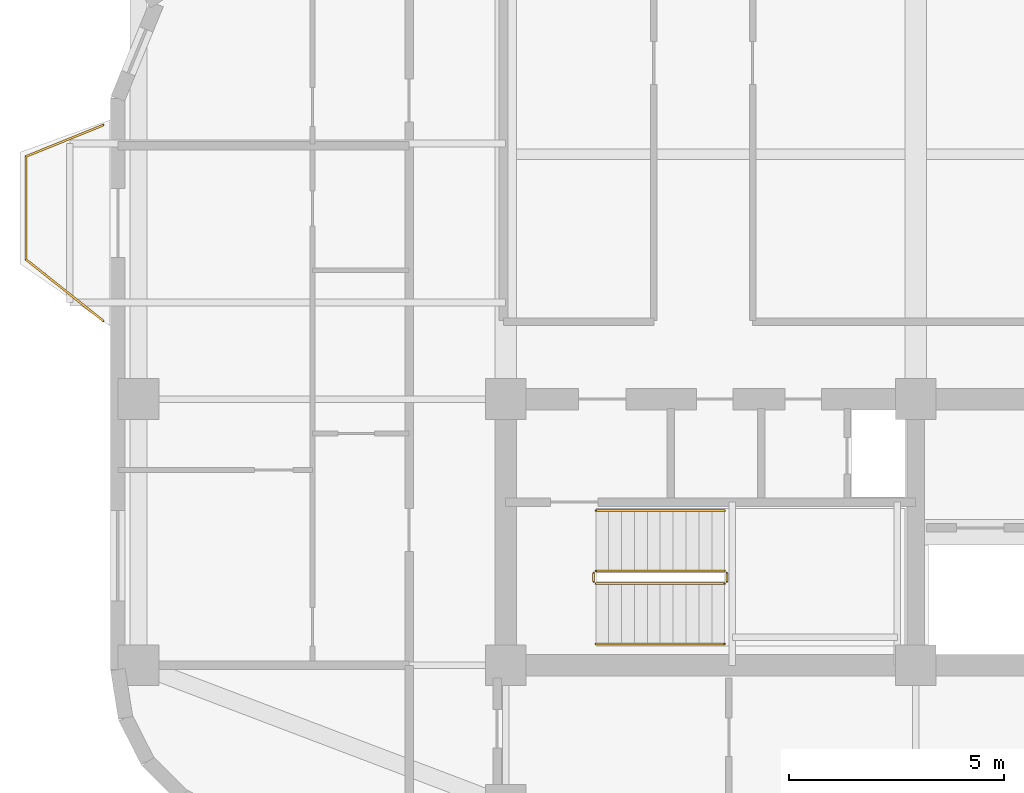
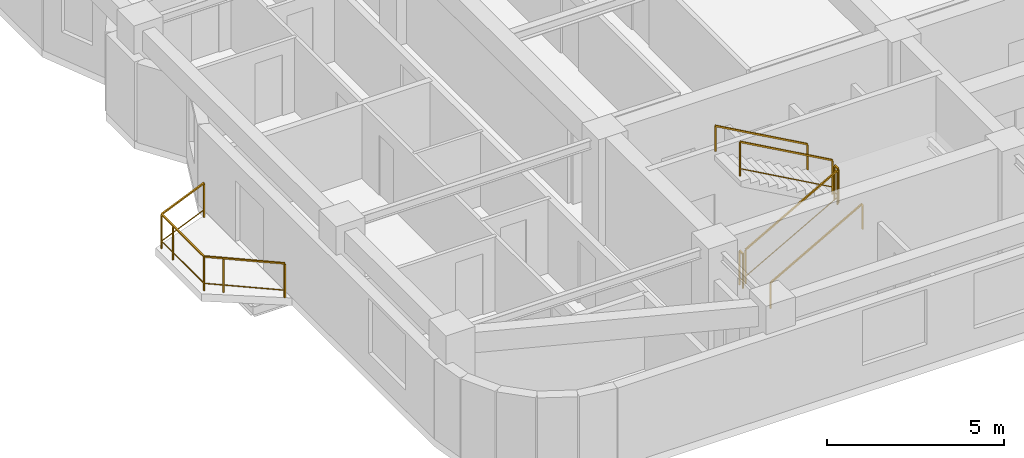
# One storey, part 11 of 12: 7 railings.
"""IFC4 building model written with IfcOpenShell, lengths in metres."""

from ifc_helpers import new_model, si_unit, direction, frame, origin, origin_2d, place, context, subcontext, project, spatial, rectangle, extrude, material, type_object, element, save


model = new_model("IFC4")

# Units and contexts
model_context = context("Model", 3, precision=1e-05, world=origin(), true_north=direction((0.0, 1.0)))
body_context = subcontext(model_context, "Body", "Model", "MODEL_VIEW")
ifc_project = project(units=[si_unit("LENGTHUNIT", "METRE"), si_unit("AREAUNIT", "SQUARE_METRE"), si_unit("VOLUMEUNIT", "CUBIC_METRE"), si_unit("PLANEANGLEUNIT", "RADIAN"), si_unit("MASSUNIT", "GRAM", prefix="KILO")], contexts=[model_context])

# Site, building, storey
site_placement = place(None, origin())
site = spatial("IfcSite", under=ifc_project, at=site_placement, CompositionType="ELEMENT")
building_placement = place(site_placement, origin())
building = spatial("IfcBuilding", under=site, at=building_placement, Name="Svetorya Sky Lyceum", CompositionType="ELEMENT")
storey_placement = place(building_placement, frame((0.0, 0.0, 158.89990234375)))
storey = spatial("IfcBuildingStorey", under=building, at=storey_placement, Name="L39", CompositionType="ELEMENT", Elevation=158.89990234375)

# Railings
ifc_material_1 = material(Name="Laminated safety glass and stainless AISI 316", Category="glass")
railing_type_1 = type_object("IfcRailingType", Name="RL-BAL-1200", PredefinedType="BALUSTRADE", material=ifc_material_1)
railing_1_placement = place(storey_placement, frame((16.22998046875, 18.6201171875, 0.0)))
element("IfcRailing", 1, at=railing_1_placement, inside=storey, type_object=railing_type_1, Name="L39 Balcony Balustrade BAL-W1", PredefinedType="BALUSTRADE", context=body_context, shape_type="SweptSolid", body=[
    extrude(rectangle(XDim=0.048095703125, YDim=0.048095703125, at=origin_2d()), frame((0.0, 0.0, 1.17578125), z_axis=(-0.783008919264, 0.622010476079, 0.0), x_axis=(-0.622010476079, -0.783008919264, 0.0)), (0.0, 0.0, 1.0), 2.298828125),
    extrude(rectangle(XDim=0.02392578125, YDim=0.02392578125, at=origin_2d()), frame((0.0, 0.0, 0.25), z_axis=(-0.783008919264, 0.622010476079, 0.0), x_axis=(-0.622010476079, -0.783008919264, 0.0)), (0.0, 0.0, 1.0), 2.298828125),
    extrude(rectangle(XDim=0.048095703125, YDim=0.048095703125, at=origin_2d()), frame((-1.800048828125, 1.429931640625, 1.17578125), z_axis=(0.0, 1.0, 0.0), x_axis=(-1.0, 0.0, 0.0)), (0.0, 0.0, 1.0), 2.39990234375),
    extrude(rectangle(XDim=0.02392578125, YDim=0.02392578125, at=origin_2d()), frame((-1.800048828125, 1.429931640625, 0.25), z_axis=(0.0, 1.0, 0.0), x_axis=(-1.0, 0.0, 0.0)), (0.0, 0.0, 1.0), 2.39990234375),
    extrude(rectangle(XDim=0.048095703125, YDim=0.048095703125, at=origin_2d()), frame((-1.800048828125, 3.829833984375, 1.17578125), z_axis=(0.926697865975, 0.375807218129, 0.0), x_axis=(-0.375807218129, 0.926697865975, 0.0)), (0.0, 0.0, 1.0), 1.9423828125),
    extrude(rectangle(XDim=0.02392578125, YDim=0.02392578125, at=origin_2d()), frame((-1.800048828125, 3.829833984375, 0.25), z_axis=(0.926697865975, 0.375807218129, 0.0), x_axis=(-0.375807218129, 0.926697865975, 0.0)), (0.0, 0.0, 1.0), 1.9423828125),
    extrude(rectangle(XDim=0.0419921875, YDim=0.0419921875, at=origin_2d()), origin(), (0.0, 0.0, 1.0), 1.15185546875),
    extrude(rectangle(XDim=0.0419921875, YDim=0.0419921875, at=origin_2d()), frame((-1.370361328125, 1.088623046875, 0.0)), (0.0, 0.0, 1.0), 1.15185546875),
    extrude(rectangle(XDim=0.0419921875, YDim=0.0419921875, at=origin_2d()), frame((-1.800048828125, 1.429931640625, 0.0)), (0.0, 0.0, 1.0), 1.15185546875),
    extrude(rectangle(XDim=0.0419921875, YDim=0.0419921875, at=origin_2d()), frame((-1.800048828125, 3.179931640625, 0.0)), (0.0, 0.0, 1.0), 1.15185546875),
    extrude(rectangle(XDim=0.0419921875, YDim=0.0419921875, at=origin_2d()), frame((-1.800048828125, 3.829833984375, 0.0)), (0.0, 0.0, 1.0), 1.15185546875),
    extrude(rectangle(XDim=0.0419921875, YDim=0.0419921875, at=origin_2d()), frame((0.0, 4.559814453125, 0.0)), (0.0, 0.0, 1.0), 1.15185546875),
])
ifc_material_2 = material(Name="Painted galvanized stair well guard")
railing_type_2 = type_object("IfcRailingType", Name="RL-STR-GUARD-1200", PredefinedType="GUARDRAIL", material=ifc_material_2)
railing_2_placement = place(storey_placement, frame((27.699951171875, 12.5, 0.168212890625)))
element("IfcRailing", 2, at=railing_2_placement, inside=storey, type_object=railing_type_2, Name="L39 ST-S stair guard 1", PredefinedType="GUARDRAIL", context=body_context, shape_type="SweptSolid", body=[
    extrude(rectangle(XDim=0.048095703125, YDim=0.048095703125, at=origin_2d()), frame((0.0, 0.0, 1.17578125), z_axis=(0.872272294576, 0.0, 0.489020494575), x_axis=(0.0, 1.0, 0.0)), (0.0, 0.0, 1.0), 3.439208984375),
    extrude(rectangle(XDim=0.02392578125, YDim=0.02392578125, at=origin_2d()), frame((0.0, 0.0, 0.25), z_axis=(0.872272294576, 0.0, 0.489020494575), x_axis=(0.0, 1.0, 0.0)), (0.0, 0.0, 1.0), 3.439208984375),
    extrude(rectangle(XDim=0.0419921875, YDim=0.0419921875, at=origin_2d()), origin(), (0.0, 0.0, 1.0), 1.15185546875),
    extrude(rectangle(XDim=0.0419921875, YDim=0.0419921875, at=origin_2d()), frame((3.0, 0.0, 1.681884765625)), (0.0, 0.0, 1.0), 1.15185546875),
])
railing_3_placement = place(storey_placement, frame((30.75, 12.550048828125, 1.85009765625)))
element("IfcRailing", 3, at=railing_3_placement, inside=storey, type_object=railing_type_2, Name="L39 ST-S stair guard 2", PredefinedType="GUARDRAIL", context=body_context, shape_type="SweptSolid", body=[
    extrude(rectangle(XDim=0.048095703125, YDim=0.048095703125, at=origin_2d()), frame((0.0, 0.0, 1.17578125), z_axis=(0.0, 1.0, 0.0), x_axis=(-1.0, 0.0, 0.0)), (0.0, 0.0, 1.0), 0.199951171875),
    extrude(rectangle(XDim=0.02392578125, YDim=0.02392578125, at=origin_2d()), frame((0.0, 0.0, 0.25), z_axis=(0.0, 1.0, 0.0), x_axis=(-1.0, 0.0, 0.0)), (0.0, 0.0, 1.0), 0.199951171875),
    extrude(rectangle(XDim=0.0419921875, YDim=0.0419921875, at=origin_2d()), origin(), (0.0, 0.0, 1.0), 1.15185546875),
    extrude(rectangle(XDim=0.0419921875, YDim=0.0419921875, at=origin_2d()), frame((0.0, 0.199951171875, 0.0)), (0.0, 0.0, 1.0), 1.15185546875),
])
railing_4_placement = place(storey_placement, frame((30.699951171875, 12.800048828125, 2.018310546875)))
element("IfcRailing", 4, at=railing_4_placement, inside=storey, type_object=railing_type_2, Name="L39 ST-S stair guard 3", PredefinedType="GUARDRAIL", context=body_context, shape_type="SweptSolid", body=[
    extrude(rectangle(XDim=0.048095703125, YDim=0.048095703125, at=origin_2d()), frame((0.0, 0.0, 1.17578125), z_axis=(-0.872272294576, 0.0, 0.489020494575), x_axis=(0.0, -1.0, 0.0)), (0.0, 0.0, 1.0), 3.439208984375),
    extrude(rectangle(XDim=0.02392578125, YDim=0.02392578125, at=origin_2d()), frame((0.0, 0.0, 0.25), z_axis=(-0.872272294576, 0.0, 0.489020494575), x_axis=(0.0, -1.0, 0.0)), (0.0, 0.0, 1.0), 3.439208984375),
    extrude(rectangle(XDim=0.0419921875, YDim=0.0419921875, at=origin_2d()), origin(), (0.0, 0.0, 1.0), 1.15185546875),
    extrude(rectangle(XDim=0.0419921875, YDim=0.0419921875, at=origin_2d()), frame((-3.0, 0.0, 1.681884765625)), (0.0, 0.0, 1.0), 1.15185546875),
])
railing_5_placement = place(storey_placement, frame((27.64990234375, 12.550048828125, 0.0)))
element("IfcRailing", 5, at=railing_5_placement, inside=storey, type_object=railing_type_2, Name="L39 ST-S stair guard 4", PredefinedType="GUARDRAIL", context=body_context, shape_type="SweptSolid", body=[
    extrude(rectangle(XDim=0.048095703125, YDim=0.048095703125, at=origin_2d()), frame((0.0, 0.0, 1.17578125), z_axis=(0.0, 1.0, 0.0), x_axis=(-1.0, 0.0, 0.0)), (0.0, 0.0, 1.0), 0.199951171875),
    extrude(rectangle(XDim=0.02392578125, YDim=0.02392578125, at=origin_2d()), frame((0.0, 0.0, 0.25), z_axis=(0.0, 1.0, 0.0), x_axis=(-1.0, 0.0, 0.0)), (0.0, 0.0, 1.0), 0.199951171875),
    extrude(rectangle(XDim=0.0419921875, YDim=0.0419921875, at=origin_2d()), origin(), (0.0, 0.0, 1.0), 1.15185546875),
    extrude(rectangle(XDim=0.0419921875, YDim=0.0419921875, at=origin_2d()), frame((0.0, 0.199951171875, 0.0)), (0.0, 0.0, 1.0), 1.15185546875),
])
ifc_material_3 = material(Name="Brushed stainless AISI 304 stair handrail")
railing_type_3 = type_object("IfcRailingType", Name="RL-STR-HAND-920", PredefinedType="HANDRAIL", material=ifc_material_3)
railing_6_placement = place(storey_placement, frame((27.699951171875, 11.10009765625, 0.168212890625)))
element("IfcRailing", 6, at=railing_6_placement, inside=storey, type_object=railing_type_3, Name="L39 ST-S stair handrail 1", PredefinedType="HANDRAIL", context=body_context, shape_type="SweptSolid", body=[
    extrude(rectangle(XDim=0.048095703125, YDim=0.048095703125, at=origin_2d()), frame((0.0, 0.0, 0.8759765625), z_axis=(0.872272294576, 0.0, 0.489020494575), x_axis=(0.0, 1.0, 0.0)), (0.0, 0.0, 1.0), 3.439208984375),
    extrude(rectangle(XDim=0.0419921875, YDim=0.0419921875, at=origin_2d()), origin(), (0.0, 0.0, 1.0), 0.851806640625),
    extrude(rectangle(XDim=0.0419921875, YDim=0.0419921875, at=origin_2d()), frame((3.0, 0.0, 1.681884765625)), (0.0, 0.0, 1.0), 0.851806640625),
])
railing_7_placement = place(storey_placement, frame((30.699951171875, 14.199951171875, 2.018310546875)))
element("IfcRailing", 7, at=railing_7_placement, inside=storey, type_object=railing_type_3, Name="L39 ST-S stair handrail 2", PredefinedType="HANDRAIL", context=body_context, shape_type="SweptSolid", body=[
    extrude(rectangle(XDim=0.048095703125, YDim=0.048095703125, at=origin_2d()), frame((0.0, 0.0, 0.8759765625), z_axis=(-0.872272294576, 0.0, 0.489020494575), x_axis=(0.0, -1.0, 0.0)), (0.0, 0.0, 1.0), 3.439208984375),
    extrude(rectangle(XDim=0.0419921875, YDim=0.0419921875, at=origin_2d()), origin(), (0.0, 0.0, 1.0), 0.851806640625),
    extrude(rectangle(XDim=0.0419921875, YDim=0.0419921875, at=origin_2d()), frame((-3.0, 0.0, 1.681884765625)), (0.0, 0.0, 1.0), 0.851806640625),
])

save(model, "model.ifc")
